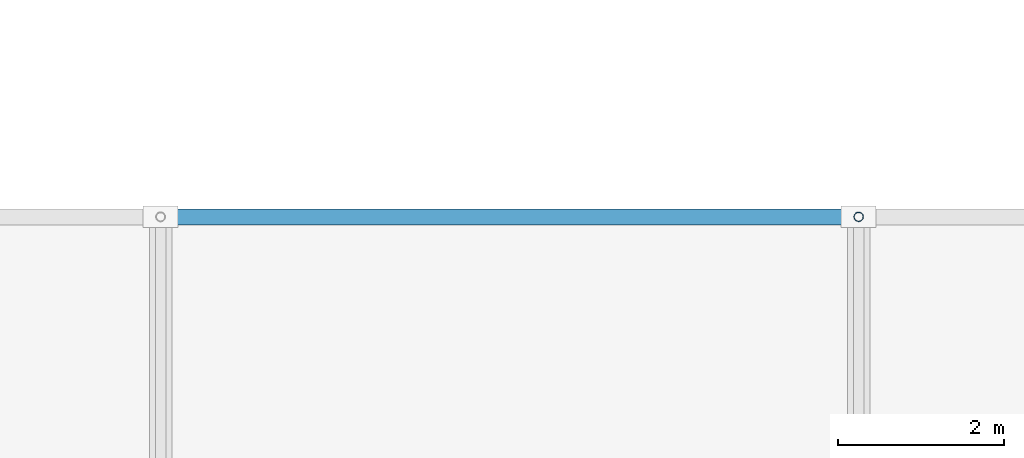
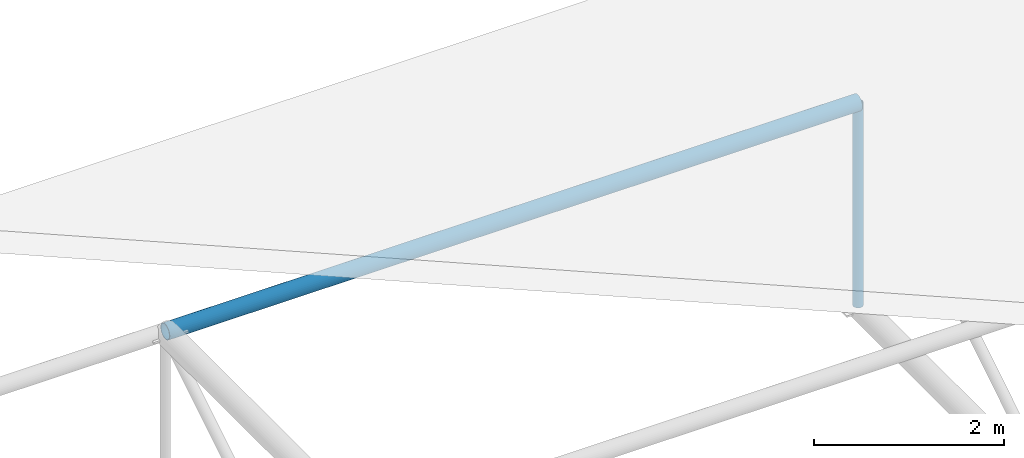
# One storey, part 30 of 140: 2 members.
"""IFC4 building model written with IfcOpenShell, lengths in metres."""

from ifc_helpers import new_model, si_unit, direction, frame, origin, origin_2d, place, context, subcontext, project, spatial, hollow_circle, extrude, material, material_profile, profile_set, type_object, element, save


model = new_model("IFC4")

# Units and contexts
model_context = context("Model", 3, precision=1e-05, world=origin(), true_north=direction((0.0, 1.0)))
body_context = subcontext(model_context, "Body", "Model", "MODEL_VIEW")
ifc_project = project(units=[si_unit("LENGTHUNIT", "METRE"), si_unit("AREAUNIT", "SQUARE_METRE"), si_unit("VOLUMEUNIT", "CUBIC_METRE"), si_unit("PLANEANGLEUNIT", "RADIAN"), si_unit("MASSUNIT", "GRAM", prefix="KILO")], contexts=[model_context])

# Site, building, storey
site_placement = place(None, origin())
site = spatial("IfcSite", under=ifc_project, at=site_placement, CompositionType="ELEMENT")
building_placement = place(site_placement, origin())
building = spatial("IfcBuilding", under=site, at=building_placement, Name="Varnapada Polytechnic", CompositionType="ELEMENT")
storey_placement = place(building_placement, frame((0.0, 0.0, 13.800048828125)))
storey = spatial("IfcBuildingStorey", under=building, at=storey_placement, Name="L03", CompositionType="ELEMENT", Elevation=13.800048828125)

# Members
ifc_material = material(Name="Steel S355", Category="steel")
ifc_material_profile_1 = material_profile(ifc_material, hollow_circle(Radius=0.096923828125, WallThickness=0.00634765625, at=origin_2d()), Name="CHS 193.7x6.3")
ifc_profile_set_1 = profile_set([ifc_material_profile_1], Name="Steel S355")
member_type_1 = type_object("IfcMemberType", Name="Canopy space frame longitudinal chord SFC-03 (CHS 193.7x6.3)", PredefinedType="CHORD", material=ifc_profile_set_1)
member_1_placement = place(storey_placement, frame((84.0, 25.199951171875, -1.35009765625), z_axis=(1.0, 0.0, 0.0), x_axis=(0.0, 1.0, 0.0)))
element("IfcMember", 1, at=member_1_placement, inside=storey, type_object=member_type_1, Name="Entrance canopy longitudinal chord 2.1", PredefinedType="CHORD", context=body_context, shape_type="SweptSolid", body=[
    extrude(hollow_circle(Radius=0.096923828125, WallThickness=0.00634765625, at=origin_2d()), origin(), (0.0, 0.0, 1.0), 8.39990234375),
])
ifc_material_profile_2 = material_profile(ifc_material, hollow_circle(Radius=0.05712890625, WallThickness=0.0048828125, at=origin_2d()), Name="CHS 114.3x5.0")
ifc_profile_set_2 = profile_set([ifc_material_profile_2], Name="Steel S355")
member_type_2 = type_object("IfcMemberType", Name="Canopy space frame web strut SFS-02 (CHS 114.3x5.0)", PredefinedType="STRUT", material=ifc_profile_set_2)
member_2_placement = place(storey_placement, frame((92.39990234375, 25.199951171875, -3.949951171875), z_axis=(0.0, 0.0, 1.0), x_axis=(1.0, 0.0, 0.0)))
element("IfcMember", 2, at=member_2_placement, inside=storey, type_object=member_type_2, Name="Entrance canopy space frame post 3.1", PredefinedType="STRUT", context=body_context, shape_type="SweptSolid", body=[
    extrude(hollow_circle(Radius=0.05712890625, WallThickness=0.0048828125, at=origin_2d()), origin(), (0.0, 0.0, 1.0), 2.599853515625),
])

save(model, "model.ifc")
